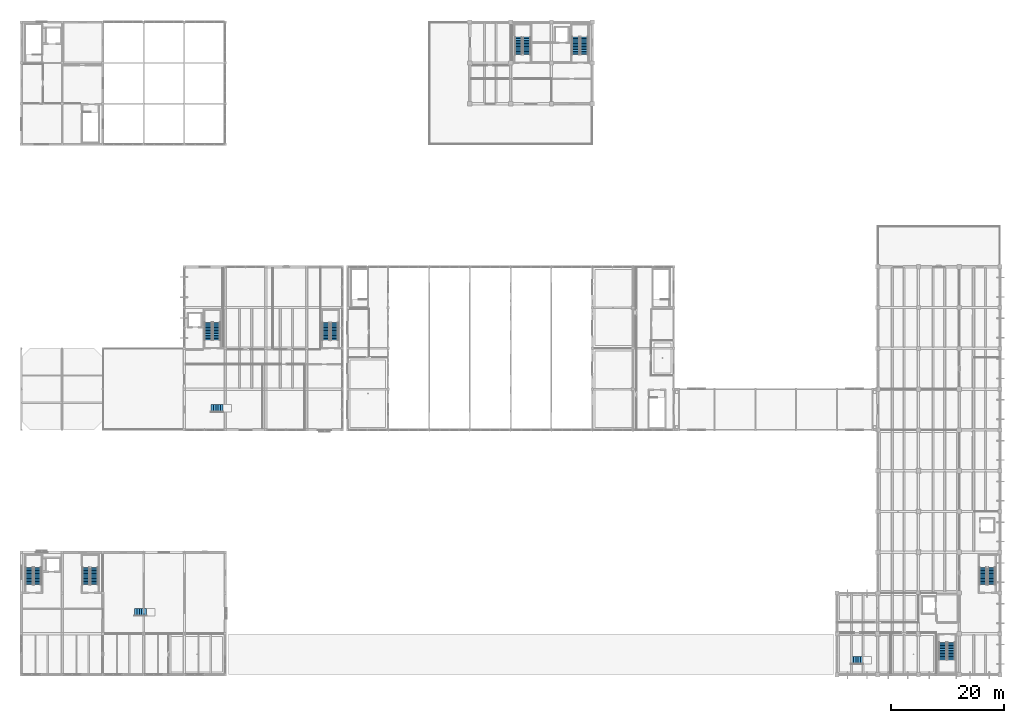
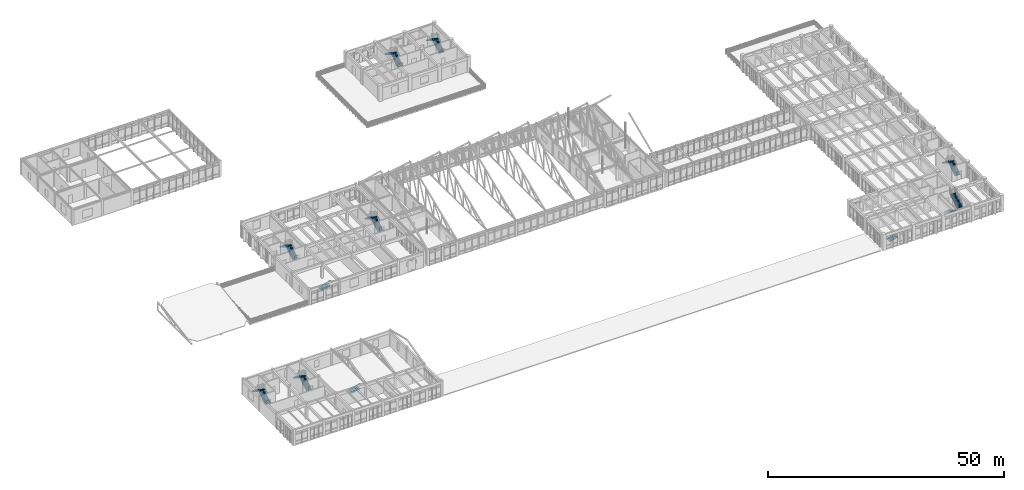
# One storey, part 119 of 136: 19 stair flights, 11 elements without a shape of their own.
"""IFC4 building model written with IfcOpenShell, lengths in metres."""

from ifc_helpers import new_model, si_unit, direction, frame, origin, place, context, subcontext, project, spatial, polyline, outline, extrude, material, type_object, element, aggregate, save


model = new_model("IFC4")

# Units and contexts
model_context = context("Model", 3, precision=1e-05, world=origin(), true_north=direction((0.0, 1.0)))
body_context = subcontext(model_context, "Body", "Model", "MODEL_VIEW")
ifc_project = project(units=[si_unit("LENGTHUNIT", "METRE"), si_unit("AREAUNIT", "SQUARE_METRE"), si_unit("VOLUMEUNIT", "CUBIC_METRE"), si_unit("PLANEANGLEUNIT", "RADIAN"), si_unit("MASSUNIT", "GRAM", prefix="KILO")], contexts=[model_context])

# Site, building, storey
site_placement = place(None, origin())
site = spatial("IfcSite", under=ifc_project, at=site_placement, CompositionType="ELEMENT")
building_placement = place(site_placement, origin())
building = spatial("IfcBuilding", under=site, at=building_placement, Name="Koriwan Promenade Central Fire Station", CompositionType="ELEMENT")
storey_placement = place(building_placement, frame((0.0, 0.0, 5.39990234375)))
storey = spatial("IfcBuildingStorey", under=building, at=storey_placement, Name="L01", CompositionType="ELEMENT", Elevation=5.39990234375)

# Stair, stair flights
ifc_material = material(Name="Concrete C35/45", Category="concrete")
stair_type_1 = type_object("IfcStairType", Name="Stair_HALF_24R_1310", PredefinedType="HALF_TURN_STAIR", material=ifc_material)
stair_1_placement = place(storey_placement, origin())
stair_1 = element("IfcStair", 1, at=stair_1_placement, inside=storey, type_object=stair_type_1, Name="L01 Protected Stair ST20", PredefinedType="HALF_TURN_STAIR")
stair_flight_type_1 = type_object("IfcStairFlightType", Name="StairFlight_12R_175H_1310", PredefinedType="STRAIGHT", material=ifc_material)
stair_flight_1_placement = place(storey_placement, frame((55.294921875, 59.06005859375, 0.0), z_axis=(0.0, 0.0, 1.0), x_axis=(0.0, 1.0, 0.0)))
stair_flight_1 = element("IfcStairFlight", 2, at=stair_flight_1_placement, type_object=stair_flight_type_1, Name="ST20 flight 1", NumberOfRisers=12, NumberOfTreads=11, PredefinedType="STRAIGHT", RiserHeight=0.175, TreadLength=0.28, context=body_context, shape_type="SweptSolid", body=[
    extrude(outline(polyline([(0.0, 0.0), (0.0, 0.175048828125), (0.280029296875, 0.175048828125), (0.280029296875, 0.35009765625), (0.56005859375, 0.35009765625), (0.56005859375, 0.52490234375), (0.840087890625, 0.52490234375), (0.840087890625, 0.699951171875), (1.1201171875, 0.699951171875), (1.1201171875, 0.875), (1.39990234375, 0.875), (1.39990234375, 1.050048828125), (1.679931640625, 1.050048828125), (1.679931640625, 1.22509765625), (1.9599609375, 1.22509765625), (1.9599609375, 1.39990234375), (2.239990234375, 1.39990234375), (2.239990234375, 1.574951171875), (2.52001953125, 1.574951171875), (2.52001953125, 1.75), (2.800048828125, 1.75), (2.800048828125, 1.925048828125), (3.080078125, 1.925048828125), (3.080078125, 2.10009765625), (3.080078125, 1.748291015625), (0.28271484375, 0.0), (0.0, 0.0)])), frame((0.0, 0.655029296875, 0.0), z_axis=(0.0, -1.0, 0.0), x_axis=(1.0, 0.0, 0.0)), (0.0, 0.0, 1.0), 1.31005859375),
])
stair_flight_2_placement = place(storey_placement, frame((53.8349609375, 62.139892578125, 2.10009765625), z_axis=(0.0, 0.0, 1.0), x_axis=(0.0, -1.0, 0.0)))
stair_flight_2 = element("IfcStairFlight", 3, at=stair_flight_2_placement, type_object=stair_flight_type_1, Name="ST20 flight 2", NumberOfRisers=12, NumberOfTreads=11, PredefinedType="STRAIGHT", RiserHeight=0.175, TreadLength=0.28, context=body_context, shape_type="SweptSolid", body=[
    extrude(outline(polyline([(0.0, 0.0), (0.0, 0.175048828125), (0.280029296875, 0.175048828125), (0.280029296875, 0.35009765625), (0.56005859375, 0.35009765625), (0.56005859375, 0.52490234375), (0.840087890625, 0.52490234375), (0.840087890625, 0.699951171875), (1.1201171875, 0.699951171875), (1.1201171875, 0.875), (1.39990234375, 0.875), (1.39990234375, 1.050048828125), (1.679931640625, 1.050048828125), (1.679931640625, 1.22509765625), (1.9599609375, 1.22509765625), (1.9599609375, 1.39990234375), (2.239990234375, 1.39990234375), (2.239990234375, 1.574951171875), (2.52001953125, 1.574951171875), (2.52001953125, 1.75), (2.800048828125, 1.75), (2.800048828125, 1.925048828125), (3.080078125, 1.925048828125), (3.080078125, 2.10009765625), (3.080078125, 1.748291015625), (0.28271484375, 0.0), (0.0, 0.0)])), frame((0.0, 0.655029296875, 0.0), z_axis=(0.0, -1.0, 0.0), x_axis=(1.0, 0.0, 0.0)), (0.0, 0.0, 1.0), 1.31005859375),
])
aggregate(stair_1, [stair_flight_1, stair_flight_2])

stair_type_2 = type_object("IfcStairType", Name="Stair_HALF_24R_1320", PredefinedType="HALF_TURN_STAIR", material=ifc_material)
stair_2_placement = place(storey_placement, origin())
stair_2 = element("IfcStair", 4, at=stair_2_placement, inside=storey, type_object=stair_type_2, Name="L01 Protected Stair ST09", PredefinedType="HALF_TURN_STAIR")
stair_flight_type_2 = type_object("IfcStairFlightType", Name="StairFlight_12R_175H_1320", PredefinedType="STRAIGHT", material=ifc_material)
stair_flight_3_placement = place(storey_placement, frame((89.239990234375, 109.469970703125, 0.0), z_axis=(0.0, 0.0, 1.0), x_axis=(0.0, 1.0, 0.0)))
stair_flight_3 = element("IfcStairFlight", 5, at=stair_flight_3_placement, type_object=stair_flight_type_2, Name="ST09 flight 1", NumberOfRisers=12, NumberOfTreads=11, PredefinedType="STRAIGHT", RiserHeight=0.175, TreadLength=0.28, context=body_context, shape_type="SweptSolid", body=[
    extrude(outline(polyline([(0.0, 0.0), (0.0, 0.175048828125), (0.280029296875, 0.175048828125), (0.280029296875, 0.35009765625), (0.56005859375, 0.35009765625), (0.56005859375, 0.52490234375), (0.840087890625, 0.52490234375), (0.840087890625, 0.699951171875), (1.1201171875, 0.699951171875), (1.1201171875, 0.875), (1.39990234375, 0.875), (1.39990234375, 1.050048828125), (1.679931640625, 1.050048828125), (1.679931640625, 1.22509765625), (1.9599609375, 1.22509765625), (1.9599609375, 1.39990234375), (2.239990234375, 1.39990234375), (2.239990234375, 1.574951171875), (2.52001953125, 1.574951171875), (2.52001953125, 1.75), (2.800048828125, 1.75), (2.800048828125, 1.925048828125), (3.080078125, 1.925048828125), (3.080078125, 2.10009765625), (3.080078125, 1.748291015625), (0.28271484375, 0.0), (0.0, 0.0)])), frame((0.0, 0.66015625, 0.0), z_axis=(0.0, -1.0, 0.0), x_axis=(1.0, 0.0, 0.0)), (0.0, 0.0, 1.0), 1.320068359375),
])
stair_flight_4_placement = place(storey_placement, frame((87.77001953125, 112.550048828125, 2.10009765625), z_axis=(0.0, 0.0, 1.0), x_axis=(0.0, -1.0, 0.0)))
stair_flight_4 = element("IfcStairFlight", 6, at=stair_flight_4_placement, type_object=stair_flight_type_2, Name="ST09 flight 2", NumberOfRisers=12, NumberOfTreads=11, PredefinedType="STRAIGHT", RiserHeight=0.175, TreadLength=0.28, context=body_context, shape_type="SweptSolid", body=[
    extrude(outline(polyline([(0.0, 0.0), (0.0, 0.175048828125), (0.280029296875, 0.175048828125), (0.280029296875, 0.35009765625), (0.56005859375, 0.35009765625), (0.56005859375, 0.52490234375), (0.840087890625, 0.52490234375), (0.840087890625, 0.699951171875), (1.1201171875, 0.699951171875), (1.1201171875, 0.875), (1.39990234375, 0.875), (1.39990234375, 1.050048828125), (1.679931640625, 1.050048828125), (1.679931640625, 1.22509765625), (1.9599609375, 1.22509765625), (1.9599609375, 1.39990234375), (2.239990234375, 1.39990234375), (2.239990234375, 1.574951171875), (2.52001953125, 1.574951171875), (2.52001953125, 1.75), (2.800048828125, 1.75), (2.800048828125, 1.925048828125), (3.080078125, 1.925048828125), (3.080078125, 2.10009765625), (3.080078125, 1.748291015625), (0.28271484375, 0.0), (0.0, 0.0)])), frame((0.0, 0.66015625, 0.0), z_axis=(0.0, -1.0, 0.0), x_axis=(1.0, 0.0, 0.0)), (0.0, 0.0, 1.0), 1.320068359375),
])
aggregate(stair_2, [stair_flight_3, stair_flight_4])

stair_3_placement = place(storey_placement, origin())
stair_3 = element("IfcStair", 7, at=stair_3_placement, inside=storey, type_object=stair_type_2, Name="L01 Protected Stair ST14", PredefinedType="HALF_TURN_STAIR")
stair_flight_5_placement = place(storey_placement, frame((2.889892578125, 15.8701171875, 0.0), z_axis=(0.0, 0.0, 1.0), x_axis=(0.0, 1.0, 0.0)))
stair_flight_5 = element("IfcStairFlight", 8, at=stair_flight_5_placement, type_object=stair_flight_type_2, Name="ST14 flight 1", NumberOfRisers=12, NumberOfTreads=11, PredefinedType="STRAIGHT", RiserHeight=0.175, TreadLength=0.28, context=body_context, shape_type="SweptSolid", body=[
    extrude(outline(polyline([(0.0, 0.0), (0.0, 0.175048828125), (0.280029296875, 0.175048828125), (0.280029296875, 0.35009765625), (0.56005859375, 0.35009765625), (0.56005859375, 0.52490234375), (0.840087890625, 0.52490234375), (0.840087890625, 0.699951171875), (1.1201171875, 0.699951171875), (1.1201171875, 0.875), (1.39990234375, 0.875), (1.39990234375, 1.050048828125), (1.679931640625, 1.050048828125), (1.679931640625, 1.22509765625), (1.9599609375, 1.22509765625), (1.9599609375, 1.39990234375), (2.239990234375, 1.39990234375), (2.239990234375, 1.574951171875), (2.52001953125, 1.574951171875), (2.52001953125, 1.75), (2.800048828125, 1.75), (2.800048828125, 1.925048828125), (3.080078125, 1.925048828125), (3.080078125, 2.10009765625), (3.080078125, 1.748291015625), (0.28271484375, 0.0), (0.0, 0.0)])), frame((0.0, 0.66015625, 0.0), z_axis=(0.0, -1.0, 0.0), x_axis=(1.0, 0.0, 0.0)), (0.0, 0.0, 1.0), 1.320068359375),
])
stair_flight_6_placement = place(storey_placement, frame((1.419921875, 18.949951171875, 2.10009765625), z_axis=(0.0, 0.0, 1.0), x_axis=(0.0, -1.0, 0.0)))
stair_flight_6 = element("IfcStairFlight", 9, at=stair_flight_6_placement, type_object=stair_flight_type_2, Name="ST14 flight 2", NumberOfRisers=12, NumberOfTreads=11, PredefinedType="STRAIGHT", RiserHeight=0.175, TreadLength=0.28, context=body_context, shape_type="SweptSolid", body=[
    extrude(outline(polyline([(0.0, 0.0), (0.0, 0.175048828125), (0.280029296875, 0.175048828125), (0.280029296875, 0.35009765625), (0.56005859375, 0.35009765625), (0.56005859375, 0.52490234375), (0.840087890625, 0.52490234375), (0.840087890625, 0.699951171875), (1.1201171875, 0.699951171875), (1.1201171875, 0.875), (1.39990234375, 0.875), (1.39990234375, 1.050048828125), (1.679931640625, 1.050048828125), (1.679931640625, 1.22509765625), (1.9599609375, 1.22509765625), (1.9599609375, 1.39990234375), (2.239990234375, 1.39990234375), (2.239990234375, 1.574951171875), (2.52001953125, 1.574951171875), (2.52001953125, 1.75), (2.800048828125, 1.75), (2.800048828125, 1.925048828125), (3.080078125, 1.925048828125), (3.080078125, 2.10009765625), (3.080078125, 1.748291015625), (0.28271484375, 0.0), (0.0, 0.0)])), frame((0.0, 0.66015625, 0.0), z_axis=(0.0, -1.0, 0.0), x_axis=(1.0, 0.0, 0.0)), (0.0, 0.0, 1.0), 1.320068359375),
])
aggregate(stair_3, [stair_flight_5, stair_flight_6])

stair_4_placement = place(storey_placement, origin())
stair_4 = element("IfcStair", 10, at=stair_4_placement, inside=storey, type_object=stair_type_2, Name="L01 Protected Stair ST16", PredefinedType="HALF_TURN_STAIR")
stair_flight_7_placement = place(storey_placement, frame((12.889892578125, 15.8701171875, 0.0), z_axis=(0.0, 0.0, 1.0), x_axis=(0.0, 1.0, 0.0)))
stair_flight_7 = element("IfcStairFlight", 11, at=stair_flight_7_placement, type_object=stair_flight_type_2, Name="ST16 flight 1", NumberOfRisers=12, NumberOfTreads=11, PredefinedType="STRAIGHT", RiserHeight=0.175, TreadLength=0.28, context=body_context, shape_type="SweptSolid", body=[
    extrude(outline(polyline([(0.0, 0.0), (0.0, 0.175048828125), (0.280029296875, 0.175048828125), (0.280029296875, 0.35009765625), (0.56005859375, 0.35009765625), (0.56005859375, 0.52490234375), (0.840087890625, 0.52490234375), (0.840087890625, 0.699951171875), (1.1201171875, 0.699951171875), (1.1201171875, 0.875), (1.39990234375, 0.875), (1.39990234375, 1.050048828125), (1.679931640625, 1.050048828125), (1.679931640625, 1.22509765625), (1.9599609375, 1.22509765625), (1.9599609375, 1.39990234375), (2.239990234375, 1.39990234375), (2.239990234375, 1.574951171875), (2.52001953125, 1.574951171875), (2.52001953125, 1.75), (2.800048828125, 1.75), (2.800048828125, 1.925048828125), (3.080078125, 1.925048828125), (3.080078125, 2.10009765625), (3.080078125, 1.748291015625), (0.28271484375, 0.0), (0.0, 0.0)])), frame((0.0, 0.66015625, 0.0), z_axis=(0.0, -1.0, 0.0), x_axis=(1.0, 0.0, 0.0)), (0.0, 0.0, 1.0), 1.320068359375),
])
stair_flight_8_placement = place(storey_placement, frame((11.419921875, 18.949951171875, 2.10009765625), z_axis=(0.0, 0.0, 1.0), x_axis=(0.0, -1.0, 0.0)))
stair_flight_8 = element("IfcStairFlight", 12, at=stair_flight_8_placement, type_object=stair_flight_type_2, Name="ST16 flight 2", NumberOfRisers=12, NumberOfTreads=11, PredefinedType="STRAIGHT", RiserHeight=0.175, TreadLength=0.28, context=body_context, shape_type="SweptSolid", body=[
    extrude(outline(polyline([(0.0, 0.0), (0.0, 0.175048828125), (0.280029296875, 0.175048828125), (0.280029296875, 0.35009765625), (0.56005859375, 0.35009765625), (0.56005859375, 0.52490234375), (0.840087890625, 0.52490234375), (0.840087890625, 0.699951171875), (1.1201171875, 0.699951171875), (1.1201171875, 0.875), (1.39990234375, 0.875), (1.39990234375, 1.050048828125), (1.679931640625, 1.050048828125), (1.679931640625, 1.22509765625), (1.9599609375, 1.22509765625), (1.9599609375, 1.39990234375), (2.239990234375, 1.39990234375), (2.239990234375, 1.574951171875), (2.52001953125, 1.574951171875), (2.52001953125, 1.75), (2.800048828125, 1.75), (2.800048828125, 1.925048828125), (3.080078125, 1.925048828125), (3.080078125, 2.10009765625), (3.080078125, 1.748291015625), (0.28271484375, 0.0), (0.0, 0.0)])), frame((0.0, 0.66015625, 0.0), z_axis=(0.0, -1.0, 0.0), x_axis=(1.0, 0.0, 0.0)), (0.0, 0.0, 1.0), 1.320068359375),
])
aggregate(stair_4, [stair_flight_7, stair_flight_8])

stair_5_placement = place(storey_placement, origin())
stair_5 = element("IfcStair", 13, at=stair_5_placement, inside=storey, type_object=stair_type_2, Name="L01 Protected Stair ST18", PredefinedType="HALF_TURN_STAIR")
stair_flight_9_placement = place(storey_placement, frame((34.489990234375, 59.070068359375, 0.0), z_axis=(0.0, 0.0, 1.0), x_axis=(0.0, 1.0, 0.0)))
stair_flight_9 = element("IfcStairFlight", 14, at=stair_flight_9_placement, type_object=stair_flight_type_2, Name="ST18 flight 1", NumberOfRisers=12, NumberOfTreads=11, PredefinedType="STRAIGHT", RiserHeight=0.175, TreadLength=0.28, context=body_context, shape_type="SweptSolid", body=[
    extrude(outline(polyline([(0.0, 0.0), (0.0, 0.175048828125), (0.280029296875, 0.175048828125), (0.280029296875, 0.35009765625), (0.56005859375, 0.35009765625), (0.56005859375, 0.52490234375), (0.840087890625, 0.52490234375), (0.840087890625, 0.699951171875), (1.1201171875, 0.699951171875), (1.1201171875, 0.875), (1.39990234375, 0.875), (1.39990234375, 1.050048828125), (1.679931640625, 1.050048828125), (1.679931640625, 1.22509765625), (1.9599609375, 1.22509765625), (1.9599609375, 1.39990234375), (2.239990234375, 1.39990234375), (2.239990234375, 1.574951171875), (2.52001953125, 1.574951171875), (2.52001953125, 1.75), (2.800048828125, 1.75), (2.800048828125, 1.925048828125), (3.080078125, 1.925048828125), (3.080078125, 2.10009765625), (3.080078125, 1.748291015625), (0.28271484375, 0.0), (0.0, 0.0)])), frame((0.0, 0.66015625, 0.0), z_axis=(0.0, -1.0, 0.0), x_axis=(1.0, 0.0, 0.0)), (0.0, 0.0, 1.0), 1.320068359375),
])
stair_flight_10_placement = place(storey_placement, frame((33.02001953125, 62.14990234375, 2.10009765625), z_axis=(0.0, 0.0, 1.0), x_axis=(0.0, -1.0, 0.0)))
stair_flight_10 = element("IfcStairFlight", 15, at=stair_flight_10_placement, type_object=stair_flight_type_2, Name="ST18 flight 2", NumberOfRisers=12, NumberOfTreads=11, PredefinedType="STRAIGHT", RiserHeight=0.175, TreadLength=0.28, context=body_context, shape_type="SweptSolid", body=[
    extrude(outline(polyline([(0.0, 0.0), (0.0, 0.175048828125), (0.280029296875, 0.175048828125), (0.280029296875, 0.35009765625), (0.56005859375, 0.35009765625), (0.56005859375, 0.52490234375), (0.840087890625, 0.52490234375), (0.840087890625, 0.699951171875), (1.1201171875, 0.699951171875), (1.1201171875, 0.875), (1.39990234375, 0.875), (1.39990234375, 1.050048828125), (1.679931640625, 1.050048828125), (1.679931640625, 1.22509765625), (1.9599609375, 1.22509765625), (1.9599609375, 1.39990234375), (2.239990234375, 1.39990234375), (2.239990234375, 1.574951171875), (2.52001953125, 1.574951171875), (2.52001953125, 1.75), (2.800048828125, 1.75), (2.800048828125, 1.925048828125), (3.080078125, 1.925048828125), (3.080078125, 2.10009765625), (3.080078125, 1.748291015625), (0.28271484375, 0.0), (0.0, 0.0)])), frame((0.0, 0.66015625, 0.0), z_axis=(0.0, -1.0, 0.0), x_axis=(1.0, 0.0, 0.0)), (0.0, 0.0, 1.0), 1.320068359375),
])
aggregate(stair_5, [stair_flight_9, stair_flight_10])

stair_6_placement = place(storey_placement, origin())
stair_6 = element("IfcStair", 16, at=stair_6_placement, inside=storey, type_object=stair_type_2, Name="L01 Protected Stair ST27", PredefinedType="HALF_TURN_STAIR")
stair_flight_11_placement = place(storey_placement, frame((171.2900390625, 15.8701171875, 0.0), z_axis=(0.0, 0.0, 1.0), x_axis=(0.0, 1.0, 0.0)))
stair_flight_11 = element("IfcStairFlight", 17, at=stair_flight_11_placement, type_object=stair_flight_type_2, Name="ST27 flight 1", NumberOfRisers=12, NumberOfTreads=11, PredefinedType="STRAIGHT", RiserHeight=0.175, TreadLength=0.28, context=body_context, shape_type="SweptSolid", body=[
    extrude(outline(polyline([(0.0, 0.0), (0.0, 0.175048828125), (0.280029296875, 0.175048828125), (0.280029296875, 0.35009765625), (0.56005859375, 0.35009765625), (0.56005859375, 0.52490234375), (0.840087890625, 0.52490234375), (0.840087890625, 0.699951171875), (1.1201171875, 0.699951171875), (1.1201171875, 0.875), (1.39990234375, 0.875), (1.39990234375, 1.050048828125), (1.679931640625, 1.050048828125), (1.679931640625, 1.22509765625), (1.9599609375, 1.22509765625), (1.9599609375, 1.39990234375), (2.239990234375, 1.39990234375), (2.239990234375, 1.574951171875), (2.52001953125, 1.574951171875), (2.52001953125, 1.75), (2.800048828125, 1.75), (2.800048828125, 1.925048828125), (3.080078125, 1.925048828125), (3.080078125, 2.10009765625), (3.080078125, 1.748291015625), (0.28271484375, 0.0), (0.0, 0.0)])), frame((0.0, 0.66015625, 0.0), z_axis=(0.0, -1.0, 0.0), x_axis=(1.0, 0.0, 0.0)), (0.0, 0.0, 1.0), 1.320068359375),
])
stair_flight_12_placement = place(storey_placement, frame((169.820068359375, 18.949951171875, 2.10009765625), z_axis=(0.0, 0.0, 1.0), x_axis=(0.0, -1.0, 0.0)))
stair_flight_12 = element("IfcStairFlight", 18, at=stair_flight_12_placement, type_object=stair_flight_type_2, Name="ST27 flight 2", NumberOfRisers=12, NumberOfTreads=11, PredefinedType="STRAIGHT", RiserHeight=0.175, TreadLength=0.28, context=body_context, shape_type="SweptSolid", body=[
    extrude(outline(polyline([(0.0, 0.0), (0.0, 0.175048828125), (0.280029296875, 0.175048828125), (0.280029296875, 0.35009765625), (0.56005859375, 0.35009765625), (0.56005859375, 0.52490234375), (0.840087890625, 0.52490234375), (0.840087890625, 0.699951171875), (1.1201171875, 0.699951171875), (1.1201171875, 0.875), (1.39990234375, 0.875), (1.39990234375, 1.050048828125), (1.679931640625, 1.050048828125), (1.679931640625, 1.22509765625), (1.9599609375, 1.22509765625), (1.9599609375, 1.39990234375), (2.239990234375, 1.39990234375), (2.239990234375, 1.574951171875), (2.52001953125, 1.574951171875), (2.52001953125, 1.75), (2.800048828125, 1.75), (2.800048828125, 1.925048828125), (3.080078125, 1.925048828125), (3.080078125, 2.10009765625), (3.080078125, 1.748291015625), (0.28271484375, 0.0), (0.0, 0.0)])), frame((0.0, 0.66015625, 0.0), z_axis=(0.0, -1.0, 0.0), x_axis=(1.0, 0.0, 0.0)), (0.0, 0.0, 1.0), 1.320068359375),
])
aggregate(stair_6, [stair_flight_11, stair_flight_12])

stair_type_3 = type_object("IfcStairType", Name="Stair_HALF_24R_1340", PredefinedType="HALF_TURN_STAIR", material=ifc_material)
stair_7_placement = place(storey_placement, origin())
stair_7 = element("IfcStair", 19, at=stair_7_placement, inside=storey, type_object=stair_type_3, Name="L01 Protected Stair ST04", PredefinedType="HALF_TURN_STAIR")
stair_flight_type_3 = type_object("IfcStairFlightType", Name="StairFlight_12R_175H_1340", PredefinedType="STRAIGHT", material=ifc_material)
stair_flight_13_placement = place(storey_placement, frame((99.3798828125, 109.489990234375, 0.0), z_axis=(0.0, 0.0, 1.0), x_axis=(0.0, 1.0, 0.0)))
stair_flight_13 = element("IfcStairFlight", 20, at=stair_flight_13_placement, type_object=stair_flight_type_3, Name="ST04 flight 1", NumberOfRisers=12, NumberOfTreads=11, PredefinedType="STRAIGHT", RiserHeight=0.175, TreadLength=0.28, context=body_context, shape_type="SweptSolid", body=[
    extrude(outline(polyline([(0.0, 0.0), (0.0, 0.175048828125), (0.280029296875, 0.175048828125), (0.280029296875, 0.35009765625), (0.56005859375, 0.35009765625), (0.56005859375, 0.52490234375), (0.840087890625, 0.52490234375), (0.840087890625, 0.699951171875), (1.1201171875, 0.699951171875), (1.1201171875, 0.875), (1.39990234375, 0.875), (1.39990234375, 1.050048828125), (1.679931640625, 1.050048828125), (1.679931640625, 1.22509765625), (1.9599609375, 1.22509765625), (1.9599609375, 1.39990234375), (2.239990234375, 1.39990234375), (2.239990234375, 1.574951171875), (2.52001953125, 1.574951171875), (2.52001953125, 1.75), (2.800048828125, 1.75), (2.800048828125, 1.925048828125), (3.080078125, 1.925048828125), (3.080078125, 2.10009765625), (3.080078125, 1.748291015625), (0.28271484375, 0.0), (0.0, 0.0)])), frame((0.0, 0.669921875, 0.0), z_axis=(0.0, -1.0, 0.0), x_axis=(1.0, 0.0, 0.0)), (0.0, 0.0, 1.0), 1.340087890625),
])
stair_flight_14_placement = place(storey_placement, frame((97.889892578125, 112.570068359375, 2.10009765625), z_axis=(0.0, 0.0, 1.0), x_axis=(0.0, -1.0, 0.0)))
stair_flight_14 = element("IfcStairFlight", 21, at=stair_flight_14_placement, type_object=stair_flight_type_3, Name="ST04 flight 2", NumberOfRisers=12, NumberOfTreads=11, PredefinedType="STRAIGHT", RiserHeight=0.175, TreadLength=0.28, context=body_context, shape_type="SweptSolid", body=[
    extrude(outline(polyline([(0.0, 0.0), (0.0, 0.175048828125), (0.280029296875, 0.175048828125), (0.280029296875, 0.35009765625), (0.56005859375, 0.35009765625), (0.56005859375, 0.52490234375), (0.840087890625, 0.52490234375), (0.840087890625, 0.699951171875), (1.1201171875, 0.699951171875), (1.1201171875, 0.875), (1.39990234375, 0.875), (1.39990234375, 1.050048828125), (1.679931640625, 1.050048828125), (1.679931640625, 1.22509765625), (1.9599609375, 1.22509765625), (1.9599609375, 1.39990234375), (2.239990234375, 1.39990234375), (2.239990234375, 1.574951171875), (2.52001953125, 1.574951171875), (2.52001953125, 1.75), (2.800048828125, 1.75), (2.800048828125, 1.925048828125), (3.080078125, 1.925048828125), (3.080078125, 2.10009765625), (3.080078125, 1.748291015625), (0.28271484375, 0.0), (0.0, 0.0)])), frame((0.0, 0.669921875, 0.0), z_axis=(0.0, -1.0, 0.0), x_axis=(1.0, 0.0, 0.0)), (0.0, 0.0, 1.0), 1.340087890625),
])
aggregate(stair_7, [stair_flight_13, stair_flight_14])

stair_type_4 = type_object("IfcStairType", Name="Stair_HALF_24R_1350", PredefinedType="HALF_TURN_STAIR", material=ifc_material)
stair_8_placement = place(storey_placement, origin())
stair_8 = element("IfcStair", 22, at=stair_8_placement, inside=storey, type_object=stair_type_4, Name="L01 Protected Stair ST22", PredefinedType="HALF_TURN_STAIR")
stair_flight_type_4 = type_object("IfcStairFlightType", Name="StairFlight_12R_175H_1350", PredefinedType="STRAIGHT", material=ifc_material)
stair_flight_15_placement = place(storey_placement, frame((162.675048828125, 5.699951171875, 0.0), z_axis=(0.0, 0.0, 1.0), x_axis=(0.0, -1.0, 0.0)))
stair_flight_15 = element("IfcStairFlight", 23, at=stair_flight_15_placement, type_object=stair_flight_type_4, Name="ST22 flight 1", NumberOfRisers=12, NumberOfTreads=11, PredefinedType="STRAIGHT", RiserHeight=0.175, TreadLength=0.28, context=body_context, shape_type="SweptSolid", body=[
    extrude(outline(polyline([(0.0, 0.0), (0.0, 0.175048828125), (0.280029296875, 0.175048828125), (0.280029296875, 0.35009765625), (0.56005859375, 0.35009765625), (0.56005859375, 0.52490234375), (0.840087890625, 0.52490234375), (0.840087890625, 0.699951171875), (1.1201171875, 0.699951171875), (1.1201171875, 0.875), (1.39990234375, 0.875), (1.39990234375, 1.050048828125), (1.679931640625, 1.050048828125), (1.679931640625, 1.22509765625), (1.9599609375, 1.22509765625), (1.9599609375, 1.39990234375), (2.239990234375, 1.39990234375), (2.239990234375, 1.574951171875), (2.52001953125, 1.574951171875), (2.52001953125, 1.75), (2.800048828125, 1.75), (2.800048828125, 1.925048828125), (3.080078125, 1.925048828125), (3.080078125, 2.10009765625), (3.080078125, 1.748291015625), (0.28271484375, 0.0), (0.0, 0.0)])), frame((0.0, 0.675048828125, 0.0), z_axis=(0.0, -1.0, 0.0), x_axis=(1.0, 0.0, 0.0)), (0.0, 0.0, 1.0), 1.35009765625),
])
stair_flight_16_placement = place(storey_placement, frame((164.175048828125, 2.6201171875, 2.10009765625), z_axis=(0.0, 0.0, 1.0), x_axis=(0.0, 1.0, 0.0)))
stair_flight_16 = element("IfcStairFlight", 24, at=stair_flight_16_placement, type_object=stair_flight_type_4, Name="ST22 flight 2", NumberOfRisers=12, NumberOfTreads=11, PredefinedType="STRAIGHT", RiserHeight=0.175, TreadLength=0.28, context=body_context, shape_type="SweptSolid", body=[
    extrude(outline(polyline([(0.0, 0.0), (0.0, 0.175048828125), (0.280029296875, 0.175048828125), (0.280029296875, 0.35009765625), (0.56005859375, 0.35009765625), (0.56005859375, 0.52490234375), (0.840087890625, 0.52490234375), (0.840087890625, 0.699951171875), (1.1201171875, 0.699951171875), (1.1201171875, 0.875), (1.39990234375, 0.875), (1.39990234375, 1.050048828125), (1.679931640625, 1.050048828125), (1.679931640625, 1.22509765625), (1.9599609375, 1.22509765625), (1.9599609375, 1.39990234375), (2.239990234375, 1.39990234375), (2.239990234375, 1.574951171875), (2.52001953125, 1.574951171875), (2.52001953125, 1.75), (2.800048828125, 1.75), (2.800048828125, 1.925048828125), (3.080078125, 1.925048828125), (3.080078125, 2.10009765625), (3.080078125, 1.748291015625), (0.28271484375, 0.0), (0.0, 0.0)])), frame((0.0, 0.675048828125, 0.0), z_axis=(0.0, -1.0, 0.0), x_axis=(1.0, 0.0, 0.0)), (0.0, 0.0, 1.0), 1.35009765625),
])
aggregate(stair_8, [stair_flight_15, stair_flight_16])

# Stair, stair flight
stair_type_5 = type_object("IfcStairType", Name="StraightPlatformStair_6R", PredefinedType="STRAIGHT_RUN_STAIR", material=ifc_material)
stair_9_placement = place(storey_placement, origin())
stair_9 = element("IfcStair", 25, at=stair_9_placement, inside=storey, type_object=stair_type_5, Name="L01 speaker dais stair SPS-01", PredefinedType="STRAIGHT_RUN_STAIR")
stair_flight_type_5 = type_object("IfcStairFlightType", Name="StraightPlatformFlight_6R", PredefinedType="STRAIGHT", material=ifc_material)
stair_flight_17_placement = place(storey_placement, frame((20.0, 11.0, 0.0), z_axis=(0.0, 0.0, 1.0), x_axis=(1.0, 0.0, 0.0)))
stair_flight_17 = element("IfcStairFlight", 26, at=stair_flight_17_placement, type_object=stair_flight_type_5, Name="SPS-01 flight 1", NumberOfRisers=6, NumberOfTreads=5, PredefinedType="STRAIGHT", RiserHeight=0.125, TreadLength=0.42, context=body_context, shape_type="SweptSolid", body=[
    extrude(outline(polyline([(0.0, 0.0), (0.0, 0.125), (0.419921875, 0.125), (0.419921875, 0.25), (0.840087890625, 0.25), (0.840087890625, 0.375), (1.260009765625, 0.375), (1.260009765625, 0.5), (1.679931640625, 0.5), (1.679931640625, 0.625), (2.10009765625, 0.625), (2.10009765625, 0.75), (2.10009765625, 0.458251953125), (0.560546875, 0.0), (0.0, 0.0)])), frame((0.0, 0.66015625, 0.0), z_axis=(0.0, -1.0, 0.0), x_axis=(1.0, 0.0, 0.0)), (0.0, 0.0, 1.0), 1.320068359375),
])
aggregate(stair_9, [stair_flight_17])

stair_10_placement = place(storey_placement, origin())
stair_10 = element("IfcStair", 27, at=stair_10_placement, inside=storey, type_object=stair_type_5, Name="L01 speaker dais stair SPS-03", PredefinedType="STRAIGHT_RUN_STAIR")
stair_flight_18_placement = place(storey_placement, frame((33.5, 47.0, 0.0), z_axis=(0.0, 0.0, 1.0), x_axis=(1.0, 0.0, 0.0)))
stair_flight_18 = element("IfcStairFlight", 28, at=stair_flight_18_placement, type_object=stair_flight_type_5, Name="SPS-03 flight 1", NumberOfRisers=6, NumberOfTreads=5, PredefinedType="STRAIGHT", RiserHeight=0.125, TreadLength=0.42, context=body_context, shape_type="SweptSolid", body=[
    extrude(outline(polyline([(0.0, 0.0), (0.0, 0.125), (0.419921875, 0.125), (0.419921875, 0.25), (0.840087890625, 0.25), (0.840087890625, 0.375), (1.260009765625, 0.375), (1.260009765625, 0.5), (1.679931640625, 0.5), (1.679931640625, 0.625), (2.10009765625, 0.625), (2.10009765625, 0.75), (2.10009765625, 0.458251953125), (0.560546875, 0.0), (0.0, 0.0)])), frame((0.0, 0.66015625, 0.0), z_axis=(0.0, -1.0, 0.0), x_axis=(1.0, 0.0, 0.0)), (0.0, 0.0, 1.0), 1.320068359375),
])
aggregate(stair_10, [stair_flight_18])

stair_11_placement = place(storey_placement, origin())
stair_11 = element("IfcStair", 29, at=stair_11_placement, inside=storey, type_object=stair_type_5, Name="L01 speaker dais stair SPS-04", PredefinedType="STRAIGHT_RUN_STAIR")
stair_flight_19_placement = place(storey_placement, frame((146.5, 2.5, 0.0), z_axis=(0.0, 0.0, 1.0), x_axis=(1.0, 0.0, 0.0)))
stair_flight_19 = element("IfcStairFlight", 30, at=stair_flight_19_placement, type_object=stair_flight_type_5, Name="SPS-04 flight 1", NumberOfRisers=6, NumberOfTreads=5, PredefinedType="STRAIGHT", RiserHeight=0.125, TreadLength=0.42, context=body_context, shape_type="SweptSolid", body=[
    extrude(outline(polyline([(0.0, 0.0), (0.0, 0.125), (0.419921875, 0.125), (0.419921875, 0.25), (0.840087890625, 0.25), (0.840087890625, 0.375), (1.260009765625, 0.375), (1.260009765625, 0.5), (1.679931640625, 0.5), (1.679931640625, 0.625), (2.10009765625, 0.625), (2.10009765625, 0.75), (2.10009765625, 0.458251953125), (0.560546875, 0.0), (0.0, 0.0)])), frame((0.0, 0.66015625, 0.0), z_axis=(0.0, -1.0, 0.0), x_axis=(1.0, 0.0, 0.0)), (0.0, 0.0, 1.0), 1.320068359375),
])
aggregate(stair_11, [stair_flight_19])

save(model, "model.ifc")
